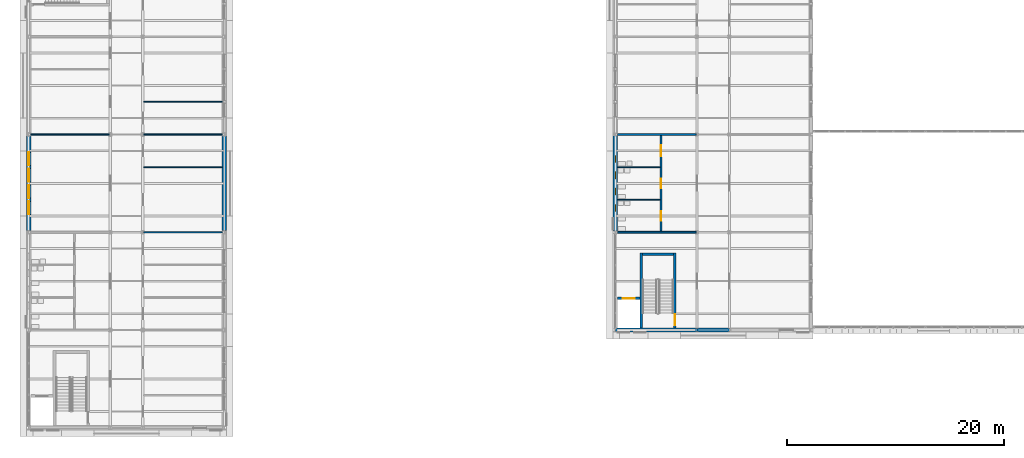
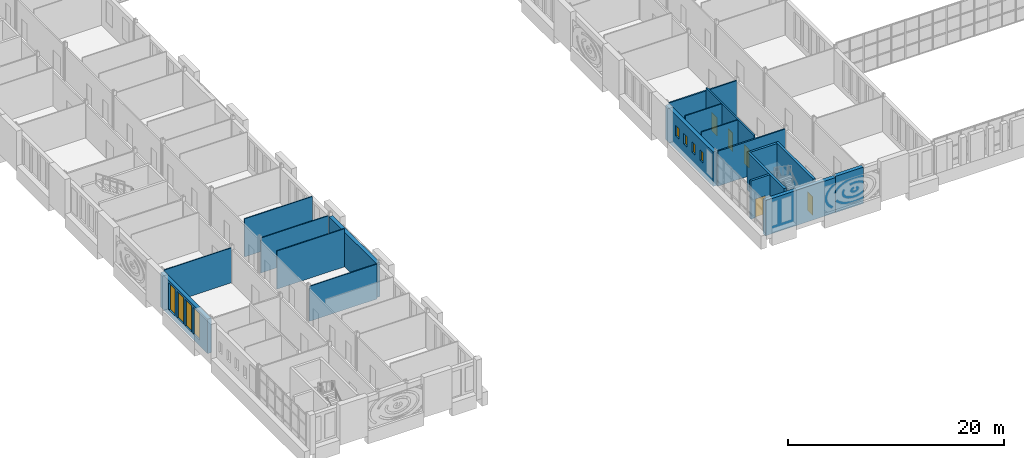
# One storey, part 72 of 131: 19 walls, 8 windows, 5 doors, 13 openings.
"""IFC4 building model written with IfcOpenShell, lengths in metres."""

from ifc_helpers import new_model, si_unit, direction, frame, frame_2d, origin, place, context, subcontext, project, spatial, rectangle, extrude, material, layer, layer_set, type_object, element, fill, save


model = new_model("IFC4")

# Units and contexts
model_context = context("Model", 3, precision=1e-05, world=origin(), true_north=direction((0.0, 1.0)))
body_context = subcontext(model_context, "Body", "Model", "MODEL_VIEW")
ifc_project = project(units=[si_unit("LENGTHUNIT", "METRE"), si_unit("AREAUNIT", "SQUARE_METRE"), si_unit("VOLUMEUNIT", "CUBIC_METRE"), si_unit("PLANEANGLEUNIT", "RADIAN"), si_unit("MASSUNIT", "GRAM", prefix="KILO")], contexts=[model_context])

# Site, building, storey
site_placement = place(None, origin())
site = spatial("IfcSite", under=ifc_project, at=site_placement, CompositionType="ELEMENT")
building_placement = place(site_placement, origin())
building = spatial("IfcBuilding", under=site, at=building_placement, Name="Golden Quay Civic Hall", CompositionType="ELEMENT")
storey_placement = place(building_placement, frame((0.0, 0.0, 9.89990234375)))
storey = spatial("IfcBuildingStorey", under=building, at=storey_placement, Name="L02", CompositionType="ELEMENT", Elevation=9.89990234375)

# Wall
ifc_material_1 = material(Name="Concrete C40/50", Category="concrete")
ifc_layer_1 = layer(ifc_material_1, 0.25)
ifc_layer_set_1 = layer_set([ifc_layer_1], Name="Concrete core wall 250, Concrete C40/50")
wall_type_1 = type_object("IfcWallType", Name="Concrete core wall 250", PredefinedType="SHEAR", material=ifc_layer_set_1)
wall_1_placement = place(storey_placement, frame((56.375, 0.199951171875, 0.0), z_axis=(0.0, 0.0, 1.0), x_axis=(0.0, 1.0, 0.0)))
element("IfcWall", 1, at=wall_1_placement, inside=storey, type_object=wall_type_1, Name="Core wall WM-S-W1", PredefinedType="SHEAR", context=body_context, shape_type="SweptSolid", body=[
    extrude(rectangle(XDim=6.900146484375, YDim=0.25, at=frame_2d((3.4501953125, 0.0))), origin(), (0.0, 0.0, 1.0), 4.300048828125),
])

# Wall, opening, door
wall_2_placement = place(storey_placement, frame((59.47509765625, 0.199951171875, 0.0), z_axis=(0.0, 0.0, 1.0), x_axis=(0.0, 1.0, 0.0)))
wall_2 = element("IfcWall", 2, at=wall_2_placement, inside=storey, type_object=wall_type_1, Name="Core wall WM-S-W2", PredefinedType="SHEAR", context=body_context, shape_type="SweptSolid", body=[
    extrude(rectangle(XDim=6.900146484375, YDim=0.25, at=frame_2d((3.4501953125, 0.0))), origin(), (0.0, 0.0, 1.0), 4.300048828125),
])
opening_1_placement = place(wall_2_placement, frame((0.25, 0.0, 0.0)))
opening_1 = element("IfcOpeningElement", 3, at=opening_1_placement, cuts=wall_2, Name="Opening L02-D101", PredefinedType="OPENING", context=body_context, shape_type="SweptSolid", body=[
    extrude(rectangle(XDim=1.0, YDim=2.10009765625, at=frame_2d((0.5, 1.050048828125))), frame((0.0, 0.135009765625, 0.0), z_axis=(0.0, -1.0, 0.0), x_axis=(1.0, 0.0, 0.0)), (0.0, 0.0, 1.0), 0.27001953125),
])
ifc_material_2 = material(Name="Steel", Category="steel")
door_type_1 = type_object("IfcDoorType", Name="Steel fire door FD60 1000 x 2100", OperationType="SINGLE_SWING_LEFT", PredefinedType="DOOR", material=ifc_material_2)
door_1_placement = place(opening_1_placement, origin())
door_1 = element("IfcDoor", 4, at=door_1_placement, inside=storey, type_object=door_type_1, Name="Door L02-D101", OperationType="SINGLE_SWING_LEFT", OverallHeight=2.10009765625, OverallWidth=1.0, PredefinedType="DOOR", context=body_context, shape_type="SweptSolid", body=[
    extrude(rectangle(XDim=1.0, YDim=2.10009765625, at=frame_2d((0.5, 1.050048828125))), frame((0.0, 0.02490234375, 0.0), z_axis=(0.0, -1.0, 0.0), x_axis=(1.0, 0.0, 0.0)), (0.0, 0.0, 1.0), 0.050048828125),
])
fill(opening_1, door_1)

# Wall
wall_3_placement = place(storey_placement, frame((56.5, 6.97509765625, 0.0), z_axis=(0.0, 0.0, 1.0), x_axis=(1.0, 0.0, 0.0)))
element("IfcWall", 5, at=wall_3_placement, inside=storey, type_object=wall_type_1, Name="Core wall WM-S-W3", PredefinedType="SHEAR", context=body_context, shape_type="SweptSolid", body=[
    extrude(rectangle(XDim=2.85009765625, YDim=0.25, at=frame_2d((1.425048828125, 0.0))), origin(), (0.0, 0.0, 1.0), 4.300048828125),
])

# Wall, opening, door
wall_4_placement = place(storey_placement, frame((54.199951171875, 2.925048828125, 0.0), z_axis=(0.0, 0.0, 1.0), x_axis=(1.0, 0.0, 0.0)))
wall_4 = element("IfcWall", 6, at=wall_4_placement, inside=storey, type_object=wall_type_1, Name="Core wall WM-S-W4", PredefinedType="SHEAR", context=body_context, shape_type="SweptSolid", body=[
    extrude(rectangle(XDim=2.050048828125, YDim=0.25, at=frame_2d((1.02490234375, 0.0))), origin(), (0.0, 0.0, 1.0), 4.300048828125),
])
opening_2_placement = place(wall_4_placement, frame((0.47509765625, 0.0, 0.0)))
opening_2 = element("IfcOpeningElement", 7, at=opening_2_placement, cuts=wall_4, Name="Opening L02-D105", PredefinedType="OPENING", context=body_context, shape_type="SweptSolid", body=[
    extrude(rectangle(XDim=1.10009765625, YDim=2.10009765625, at=frame_2d((0.550048828125, 1.050048828125))), frame((0.0, 0.135009765625, 0.0), z_axis=(0.0, -1.0, 0.0), x_axis=(1.0, 0.0, 0.0)), (0.0, 0.0, 1.0), 0.27001953125),
])
ifc_material_3 = material(Name="Steel", Category="steel")
door_type_2 = type_object("IfcDoorType", Name="Lift landing door 1100 x 2100", OperationType="SLIDING_TO_LEFT", PredefinedType="DOOR", material=ifc_material_3)
door_2_placement = place(opening_2_placement, origin())
door_2 = element("IfcDoor", 8, at=door_2_placement, inside=storey, type_object=door_type_2, Name="Lift landing door L02-D105 WM-S", OperationType="SLIDING_TO_LEFT", OverallHeight=2.10009765625, OverallWidth=1.10009765625, PredefinedType="DOOR", context=body_context, shape_type="SweptSolid", body=[
    extrude(rectangle(XDim=1.10009765625, YDim=2.10009765625, at=frame_2d((0.550048828125, 1.050048828125))), frame((0.0, 0.02490234375, 0.0), z_axis=(0.0, -1.0, 0.0), x_axis=(1.0, 0.0, 0.0)), (0.0, 0.0, 1.0), 0.050048828125),
])
fill(opening_2, door_2)

# Walls
ifc_material_4 = material(Name="Plasterboard on steel studs", Category="steel")
ifc_layer_2 = layer(ifc_material_4, 0.10009765625)
ifc_layer_set_2 = layer_set([ifc_layer_2], Name="Partition 100 stud")
wall_type_2 = type_object("IfcWallType", Name="Partition 100 stud", PredefinedType="PARTITIONING", material=ifc_layer_set_2)
for number, where, z_axis, x_axis, name in (
    (9, (0.199951171875, 18.0, 0.0), (0.0, 0.0, 1.0), (1.0, 0.0, 0.0), "Partition L02-001"),
    (10, (10.574951171875, 9.0, 0.0), (0.0, 0.0, 1.0), (1.0, 0.0, 0.0), "Partition L02-012"),
):
    element("IfcWall", number, at=place(storey_placement, frame(where, z_axis=z_axis, x_axis=x_axis)), inside=storey, type_object=wall_type_2, Name=name, PredefinedType="PARTITIONING", context=body_context, shape_type="SweptSolid", body=[
        extrude(rectangle(XDim=7.22509765625, YDim=0.10009765625, at=frame_2d((3.612548828125, 0.0))), origin(), (0.0, 0.0, 1.0), 3.9501953125),
    ])
wall_5_placement = place(storey_placement, frame((10.574951171875, 15.0, 0.0), z_axis=(0.0, 0.0, 1.0), x_axis=(1.0, 0.0, 0.0)))
element("IfcWall", 11, at=wall_5_placement, inside=storey, type_object=wall_type_2, Name="Partition L02-013", PredefinedType="PARTITIONING", context=body_context, shape_type="SweptSolid", body=[
    extrude(rectangle(XDim=7.22509765625, YDim=0.10009765625, at=frame_2d((3.612548828125, 0.0))), origin(), (0.0, 0.0, 1.0), 4.300048828125),
])
wall_6_placement = place(storey_placement, frame((10.574951171875, 18.0, 0.0), z_axis=(0.0, 0.0, 1.0), x_axis=(1.0, 0.0, 0.0)))
element("IfcWall", 12, at=wall_6_placement, inside=storey, type_object=wall_type_2, Name="Partition L02-014", PredefinedType="PARTITIONING", context=body_context, shape_type="SweptSolid", body=[
    extrude(rectangle(XDim=7.22509765625, YDim=0.10009765625, at=frame_2d((3.612548828125, 0.0))), origin(), (0.0, 0.0, 1.0), 3.9501953125),
])
wall_7_placement = place(storey_placement, frame((10.574951171875, 21.0, 0.0), z_axis=(0.0, 0.0, 1.0), x_axis=(1.0, 0.0, 0.0)))
element("IfcWall", 13, at=wall_7_placement, inside=storey, type_object=wall_type_2, Name="Partition L02-015", PredefinedType="PARTITIONING", context=body_context, shape_type="SweptSolid", body=[
    extrude(rectangle(XDim=7.22509765625, YDim=0.10009765625, at=frame_2d((3.612548828125, 0.0))), origin(), (0.0, 0.0, 1.0), 4.300048828125),
])
for number, where, z_axis, x_axis, name in (
    (14, (54.199951171875, 12.0, 0.0), (0.0, 0.0, 1.0), (1.0, 0.0, 0.0), "Partition L02-016"),
    (15, (54.199951171875, 15.0, 0.0), (0.0, 0.0, 1.0), (1.0, 0.0, 0.0), "Partition L02-017"),
):
    element("IfcWall", number, at=place(storey_placement, frame(where, z_axis=z_axis, x_axis=x_axis)), inside=storey, type_object=wall_type_2, Name=name, PredefinedType="PARTITIONING", context=body_context, shape_type="SweptSolid", body=[
        extrude(rectangle(XDim=3.925048828125, YDim=0.10009765625, at=frame_2d((1.96240234375, 0.0))), origin(), (0.0, 0.0, 1.0), 4.300048828125),
    ])
ifc_material_5 = material(Name="Plasterboard on steel studs", Category="steel")
ifc_layer_3 = layer(ifc_material_5, 0.14990234375)
ifc_layer_set_3 = layer_set([ifc_layer_3], Name="Partition 150 stud fire EI 60")
wall_type_3 = type_object("IfcWallType", Name="Partition 150 stud fire EI 60", PredefinedType="PARTITIONING", material=ifc_layer_set_3)
for number, where, z_axis, x_axis, name in (
    (16, (54.199951171875, 18.0, 0.0), (0.0, 0.0, 1.0), (1.0, 0.0, 0.0), "Partition L02-000"),
    (17, (54.199951171875, 9.0, 0.0), (0.0, 0.0, 1.0), (1.0, 0.0, 0.0), "Partition L02-012"),
):
    element("IfcWall", number, at=place(storey_placement, frame(where, z_axis=z_axis, x_axis=x_axis)), inside=storey, type_object=wall_type_3, Name=name, PredefinedType="PARTITIONING", context=body_context, shape_type="SweptSolid", body=[
        extrude(rectangle(XDim=7.22509765625, YDim=0.14990234375, at=frame_2d((3.612548828125, 0.0))), origin(), (0.0, 0.0, 1.0), 3.9501953125),
    ])

# Wall, openings, doors
wall_8_placement = place(storey_placement, frame((58.199951171875, 9.074951171875, 0.0), z_axis=(0.0, 0.0, 1.0), x_axis=(0.0, 1.0, 0.0)))
wall_8 = element("IfcWall", 18, at=wall_8_placement, inside=storey, type_object=wall_type_3, Name="Partition L02-015", PredefinedType="PARTITIONING", context=body_context, shape_type="SweptSolid", body=[
    extrude(rectangle(XDim=8.85009765625, YDim=0.14990234375, at=frame_2d((4.425048828125, 0.0))), origin(), (0.0, 0.0, 1.0), 4.300048828125),
])
opening_3_placement = place(wall_8_placement, frame((0.97509765625, 0.0, 0.0)))
opening_3 = element("IfcOpeningElement", 19, at=opening_3_placement, cuts=wall_8, Name="Opening L02-D098", PredefinedType="OPENING", context=body_context, shape_type="SweptSolid", body=[
    extrude(rectangle(XDim=0.89990234375, YDim=2.10009765625, at=frame_2d((0.449951171875, 1.050048828125))), frame((0.0, 0.0849609375, 0.0), z_axis=(0.0, -1.0, 0.0), x_axis=(1.0, 0.0, 0.0)), (0.0, 0.0, 1.0), 0.169921875),
])
opening_4_placement = place(wall_8_placement, frame((3.97509765625, 0.0, 0.0)))
opening_4 = element("IfcOpeningElement", 20, at=opening_4_placement, cuts=wall_8, Name="Opening L02-D099", PredefinedType="OPENING", context=body_context, shape_type="SweptSolid", body=[
    extrude(rectangle(XDim=0.89990234375, YDim=2.10009765625, at=frame_2d((0.449951171875, 1.050048828125))), frame((0.0, 0.0849609375, 0.0), z_axis=(0.0, -1.0, 0.0), x_axis=(1.0, 0.0, 0.0)), (0.0, 0.0, 1.0), 0.169921875),
])
opening_5_placement = place(wall_8_placement, frame((6.925048828125, 0.0, 0.0)))
opening_5 = element("IfcOpeningElement", 21, at=opening_5_placement, cuts=wall_8, Name="Opening L02-D100", PredefinedType="OPENING", context=body_context, shape_type="SweptSolid", body=[
    extrude(rectangle(XDim=1.0, YDim=2.10009765625, at=frame_2d((0.5, 1.050048828125))), frame((0.0, 0.0849609375, 0.0), z_axis=(0.0, -1.0, 0.0), x_axis=(1.0, 0.0, 0.0)), (0.0, 0.0, 1.0), 0.169921875),
])
ifc_material_6 = material(Name="Timber", Category="wood")
door_type_3 = type_object("IfcDoorType", Name="Timber door 1000 x 2100", OperationType="SINGLE_SWING_LEFT", PredefinedType="DOOR", material=ifc_material_6)
door_3_placement = place(opening_5_placement, origin())
door_3 = element("IfcDoor", 22, at=door_3_placement, inside=storey, type_object=door_type_3, Name="Door L02-D100", OperationType="SINGLE_SWING_LEFT", OverallHeight=2.10009765625, OverallWidth=1.0, PredefinedType="DOOR", context=body_context, shape_type="SweptSolid", body=[
    extrude(rectangle(XDim=1.0, YDim=2.10009765625, at=frame_2d((0.5, 1.050048828125))), frame((0.0, 0.02490234375, 0.0), z_axis=(0.0, -1.0, 0.0), x_axis=(1.0, 0.0, 0.0)), (0.0, 0.0, 1.0), 0.050048828125),
])
fill(opening_5, door_3)
ifc_material_7 = material(Name="Timber", Category="wood")
door_type_4 = type_object("IfcDoorType", Name="Timber door 900 x 2100", OperationType="SINGLE_SWING_LEFT", PredefinedType="DOOR", material=ifc_material_7)
door_4_placement = place(opening_3_placement, origin())
door_4 = element("IfcDoor", 23, at=door_4_placement, inside=storey, type_object=door_type_4, Name="Door L02-D098", OperationType="SINGLE_SWING_LEFT", OverallHeight=2.10009765625, OverallWidth=0.89990234375, PredefinedType="DOOR", context=body_context, shape_type="SweptSolid", body=[
    extrude(rectangle(XDim=0.89990234375, YDim=2.10009765625, at=frame_2d((0.449951171875, 1.050048828125))), frame((0.0, 0.02490234375, 0.0), z_axis=(0.0, -1.0, 0.0), x_axis=(1.0, 0.0, 0.0)), (0.0, 0.0, 1.0), 0.050048828125),
])
fill(opening_3, door_4)
door_5_placement = place(opening_4_placement, origin())
door_5 = element("IfcDoor", 24, at=door_5_placement, inside=storey, type_object=door_type_4, Name="Door L02-D099", OperationType="SINGLE_SWING_LEFT", OverallHeight=2.10009765625, OverallWidth=0.89990234375, PredefinedType="DOOR", context=body_context, shape_type="SweptSolid", body=[
    extrude(rectangle(XDim=0.89990234375, YDim=2.10009765625, at=frame_2d((0.449951171875, 1.050048828125))), frame((0.0, 0.02490234375, 0.0), z_axis=(0.0, -1.0, 0.0), x_axis=(1.0, 0.0, 0.0)), (0.0, 0.0, 1.0), 0.050048828125),
])
fill(opening_4, door_5)

# Wall, openings, windows
ifc_material_8 = material(Name="Clay block, rendered, cream")
ifc_layer_4 = layer(ifc_material_8, 0.39990234375)
ifc_layer_set_4 = layer_set([ifc_layer_4], Name="Rendered block external wall 400")
wall_type_4 = type_object("IfcWallType", Name="Rendered block external wall 400", PredefinedType="STANDARD", material=ifc_layer_set_4)
wall_9_placement = place(storey_placement, frame((0.0, 9.14501953125, 0.0), z_axis=(0.0, 0.0, 1.0), x_axis=(0.0, 1.0, 0.0)))
wall_9 = element("IfcWall", 25, at=wall_9_placement, inside=storey, type_object=wall_type_4, Name="Rendered block external wall 400 L02 2", PredefinedType="STANDARD", context=body_context, shape_type="SweptSolid", body=[
    extrude(rectangle(XDim=8.7099609375, YDim=0.39990234375, at=frame_2d((4.35498046875, 0.0))), origin(), (0.0, 0.0, 1.0), 3.900146484375),
])
opening_6_placement = place(wall_9_placement, frame((1.5048828125, 0.0, 0.60009765625)))
opening_6 = element("IfcOpeningElement", 26, at=opening_6_placement, cuts=wall_9, Name="Opening WN5", PredefinedType="OPENING", context=body_context, shape_type="SweptSolid", body=[
    extrude(rectangle(XDim=1.199951171875, YDim=3.0, at=frame_2d((0.60009765625, 1.5))), frame((0.0, 0.2099609375, 0.0), z_axis=(0.0, -1.0, 0.0), x_axis=(1.0, 0.0, 0.0)), (0.0, 0.0, 1.0), 0.419921875),
])
opening_7_placement = place(wall_9_placement, frame((3.0048828125, 0.0, 0.60009765625)))
opening_7 = element("IfcOpeningElement", 27, at=opening_7_placement, cuts=wall_9, Name="Opening WN5", PredefinedType="OPENING", context=body_context, shape_type="SweptSolid", body=[
    extrude(rectangle(XDim=1.199951171875, YDim=3.0, at=frame_2d((0.60009765625, 1.5))), frame((0.0, 0.2099609375, 0.0), z_axis=(0.0, -1.0, 0.0), x_axis=(1.0, 0.0, 0.0)), (0.0, 0.0, 1.0), 0.419921875),
])
opening_8_placement = place(wall_9_placement, frame((4.5048828125, 0.0, 0.60009765625)))
opening_8 = element("IfcOpeningElement", 28, at=opening_8_placement, cuts=wall_9, Name="Opening WN5", PredefinedType="OPENING", context=body_context, shape_type="SweptSolid", body=[
    extrude(rectangle(XDim=1.199951171875, YDim=3.0, at=frame_2d((0.60009765625, 1.5))), frame((0.0, 0.2099609375, 0.0), z_axis=(0.0, -1.0, 0.0), x_axis=(1.0, 0.0, 0.0)), (0.0, 0.0, 1.0), 0.419921875),
])
opening_9_placement = place(wall_9_placement, frame((6.0048828125, 0.0, 0.60009765625)))
opening_9 = element("IfcOpeningElement", 29, at=opening_9_placement, cuts=wall_9, Name="Opening WN5", PredefinedType="OPENING", context=body_context, shape_type="SweptSolid", body=[
    extrude(rectangle(XDim=1.199951171875, YDim=3.0, at=frame_2d((0.60009765625, 1.5))), frame((0.0, 0.2099609375, 0.0), z_axis=(0.0, -1.0, 0.0), x_axis=(1.0, 0.0, 0.0)), (0.0, 0.0, 1.0), 0.419921875),
])
ifc_material_9 = material(Name="Aluminium frame, double glazed", Category="aluminium")
window_type_1 = type_object("IfcWindowType", Name="Golden grid window 1200 x 3000", PartitioningType="SINGLE_PANEL", PredefinedType="WINDOW", material=ifc_material_9)
window_1_placement = place(opening_6_placement, origin())
window_1 = element("IfcWindow", 30, at=window_1_placement, inside=storey, type_object=window_type_1, Name="Golden grid window 1200 x 3000 L02 1", OverallHeight=3.0, OverallWidth=1.199951171875, PartitioningType="SINGLE_PANEL", PredefinedType="WINDOW", context=body_context, shape_type="SweptSolid", body=[
    extrude(rectangle(XDim=1.199951171875, YDim=3.0, at=frame_2d((0.60009765625, 1.5))), frame((0.0, 0.030029296875, 0.0), z_axis=(0.0, -1.0, 0.0), x_axis=(1.0, 0.0, 0.0)), (0.0, 0.0, 1.0), 0.06005859375),
])
fill(opening_6, window_1)
window_2_placement = place(opening_7_placement, origin())
window_2 = element("IfcWindow", 31, at=window_2_placement, inside=storey, type_object=window_type_1, Name="Golden grid window 1200 x 3000 L02 2", OverallHeight=3.0, OverallWidth=1.199951171875, PartitioningType="SINGLE_PANEL", PredefinedType="WINDOW", context=body_context, shape_type="SweptSolid", body=[
    extrude(rectangle(XDim=1.199951171875, YDim=3.0, at=frame_2d((0.60009765625, 1.5))), frame((0.0, 0.030029296875, 0.0), z_axis=(0.0, -1.0, 0.0), x_axis=(1.0, 0.0, 0.0)), (0.0, 0.0, 1.0), 0.06005859375),
])
fill(opening_7, window_2)
window_3_placement = place(opening_8_placement, origin())
window_3 = element("IfcWindow", 32, at=window_3_placement, inside=storey, type_object=window_type_1, Name="Golden grid window 1200 x 3000 L02 3", OverallHeight=3.0, OverallWidth=1.199951171875, PartitioningType="SINGLE_PANEL", PredefinedType="WINDOW", context=body_context, shape_type="SweptSolid", body=[
    extrude(rectangle(XDim=1.199951171875, YDim=3.0, at=frame_2d((0.60009765625, 1.5))), frame((0.0, 0.030029296875, 0.0), z_axis=(0.0, -1.0, 0.0), x_axis=(1.0, 0.0, 0.0)), (0.0, 0.0, 1.0), 0.06005859375),
])
fill(opening_8, window_3)
window_4_placement = place(opening_9_placement, origin())
window_4 = element("IfcWindow", 33, at=window_4_placement, inside=storey, type_object=window_type_1, Name="Golden grid window 1200 x 3000 L02 4", OverallHeight=3.0, OverallWidth=1.199951171875, PartitioningType="SINGLE_PANEL", PredefinedType="WINDOW", context=body_context, shape_type="SweptSolid", body=[
    extrude(rectangle(XDim=1.199951171875, YDim=3.0, at=frame_2d((0.60009765625, 1.5))), frame((0.0, 0.030029296875, 0.0), z_axis=(0.0, -1.0, 0.0), x_axis=(1.0, 0.0, 0.0)), (0.0, 0.0, 1.0), 0.06005859375),
])
fill(opening_9, window_4)

# Wall
wall_10_placement = place(storey_placement, frame((18.0, 17.85498046875, 0.0), z_axis=(0.0, 0.0, 1.0), x_axis=(0.0, -1.0, 0.0)))
element("IfcWall", 34, at=wall_10_placement, inside=storey, type_object=wall_type_4, Name="Rendered block external wall 400 L02 14", PredefinedType="STANDARD", context=body_context, shape_type="SweptSolid", body=[
    extrude(rectangle(XDim=8.7099609375, YDim=0.39990234375, at=frame_2d((4.35498046875, 0.0))), origin(), (0.0, 0.0, 1.0), 3.900146484375),
])

# Wall, openings, windows
wall_11_placement = place(storey_placement, frame((54.0, 9.114990234375, 0.0), z_axis=(0.0, 0.0, 1.0), x_axis=(0.0, 1.0, 0.0)))
wall_11 = element("IfcWall", 35, at=wall_11_placement, inside=storey, type_object=wall_type_4, Name="Rendered block external wall 400 L02 21", PredefinedType="STANDARD", context=body_context, shape_type="SweptSolid", body=[
    extrude(rectangle(XDim=8.77001953125, YDim=0.39990234375, at=frame_2d((4.385009765625, 0.0))), origin(), (0.0, 0.0, 1.0), 3.900146484375),
])
opening_10_placement = place(wall_11_placement, frame((1.8349609375, 0.0, 1.5)))
opening_10 = element("IfcOpeningElement", 36, at=opening_10_placement, cuts=wall_11, Name="Opening WN1", PredefinedType="OPENING", context=body_context, shape_type="SweptSolid", body=[
    extrude(rectangle(XDim=0.60009765625, YDim=1.199951171875, at=frame_2d((0.300048828125, 0.60009765625))), frame((0.0, 0.2099609375, 0.0), z_axis=(0.0, -1.0, 0.0), x_axis=(1.0, 0.0, 0.0)), (0.0, 0.0, 1.0), 0.419921875),
])
opening_11_placement = place(wall_11_placement, frame((3.3349609375, 0.0, 1.5)))
opening_11 = element("IfcOpeningElement", 37, at=opening_11_placement, cuts=wall_11, Name="Opening WN1", PredefinedType="OPENING", context=body_context, shape_type="SweptSolid", body=[
    extrude(rectangle(XDim=0.60009765625, YDim=1.199951171875, at=frame_2d((0.300048828125, 0.60009765625))), frame((0.0, 0.2099609375, 0.0), z_axis=(0.0, -1.0, 0.0), x_axis=(1.0, 0.0, 0.0)), (0.0, 0.0, 1.0), 0.419921875),
])
opening_12_placement = place(wall_11_placement, frame((4.8349609375, 0.0, 1.5)))
opening_12 = element("IfcOpeningElement", 38, at=opening_12_placement, cuts=wall_11, Name="Opening WN1", PredefinedType="OPENING", context=body_context, shape_type="SweptSolid", body=[
    extrude(rectangle(XDim=0.60009765625, YDim=1.199951171875, at=frame_2d((0.300048828125, 0.60009765625))), frame((0.0, 0.2099609375, 0.0), z_axis=(0.0, -1.0, 0.0), x_axis=(1.0, 0.0, 0.0)), (0.0, 0.0, 1.0), 0.419921875),
])
opening_13_placement = place(wall_11_placement, frame((6.3349609375, 0.0, 1.5)))
opening_13 = element("IfcOpeningElement", 39, at=opening_13_placement, cuts=wall_11, Name="Opening WN1", PredefinedType="OPENING", context=body_context, shape_type="SweptSolid", body=[
    extrude(rectangle(XDim=0.60009765625, YDim=1.199951171875, at=frame_2d((0.300048828125, 0.60009765625))), frame((0.0, 0.2099609375, 0.0), z_axis=(0.0, -1.0, 0.0), x_axis=(1.0, 0.0, 0.0)), (0.0, 0.0, 1.0), 0.419921875),
])
ifc_material_10 = material(Name="Aluminium frame, double glazed", Category="aluminium")
window_type_2 = type_object("IfcWindowType", Name="WC window 600 x 1200", PartitioningType="SINGLE_PANEL", PredefinedType="WINDOW", material=ifc_material_10)
window_5_placement = place(opening_10_placement, origin())
window_5 = element("IfcWindow", 40, at=window_5_placement, inside=storey, type_object=window_type_2, Name="WC window 600 x 1200 L02 8", OverallHeight=1.199951171875, OverallWidth=0.60009765625, PartitioningType="SINGLE_PANEL", PredefinedType="WINDOW", context=body_context, shape_type="SweptSolid", body=[
    extrude(rectangle(XDim=0.60009765625, YDim=1.199951171875, at=frame_2d((0.300048828125, 0.60009765625))), frame((0.0, 0.030029296875, 0.0), z_axis=(0.0, -1.0, 0.0), x_axis=(1.0, 0.0, 0.0)), (0.0, 0.0, 1.0), 0.06005859375),
])
fill(opening_10, window_5)
window_6_placement = place(opening_11_placement, origin())
window_6 = element("IfcWindow", 41, at=window_6_placement, inside=storey, type_object=window_type_2, Name="WC window 600 x 1200 L02 9", OverallHeight=1.199951171875, OverallWidth=0.60009765625, PartitioningType="SINGLE_PANEL", PredefinedType="WINDOW", context=body_context, shape_type="SweptSolid", body=[
    extrude(rectangle(XDim=0.60009765625, YDim=1.199951171875, at=frame_2d((0.300048828125, 0.60009765625))), frame((0.0, 0.030029296875, 0.0), z_axis=(0.0, -1.0, 0.0), x_axis=(1.0, 0.0, 0.0)), (0.0, 0.0, 1.0), 0.06005859375),
])
fill(opening_11, window_6)
window_7_placement = place(opening_12_placement, origin())
window_7 = element("IfcWindow", 42, at=window_7_placement, inside=storey, type_object=window_type_2, Name="WC window 600 x 1200 L02 10", OverallHeight=1.199951171875, OverallWidth=0.60009765625, PartitioningType="SINGLE_PANEL", PredefinedType="WINDOW", context=body_context, shape_type="SweptSolid", body=[
    extrude(rectangle(XDim=0.60009765625, YDim=1.199951171875, at=frame_2d((0.300048828125, 0.60009765625))), frame((0.0, 0.030029296875, 0.0), z_axis=(0.0, -1.0, 0.0), x_axis=(1.0, 0.0, 0.0)), (0.0, 0.0, 1.0), 0.06005859375),
])
fill(opening_12, window_7)
window_8_placement = place(opening_13_placement, origin())
window_8 = element("IfcWindow", 43, at=window_8_placement, inside=storey, type_object=window_type_2, Name="WC window 600 x 1200 L02 11", OverallHeight=1.199951171875, OverallWidth=0.60009765625, PartitioningType="SINGLE_PANEL", PredefinedType="WINDOW", context=body_context, shape_type="SweptSolid", body=[
    extrude(rectangle(XDim=0.60009765625, YDim=1.199951171875, at=frame_2d((0.300048828125, 0.60009765625))), frame((0.0, 0.030029296875, 0.0), z_axis=(0.0, -1.0, 0.0), x_axis=(1.0, 0.0, 0.0)), (0.0, 0.0, 1.0), 0.06005859375),
])
fill(opening_13, window_8)

# Walls
wall_12_placement = place(storey_placement, frame((64.4912109375, 0.0, 0.0), z_axis=(0.0, 0.0, 1.0), x_axis=(-1.0, 0.0, 0.0)))
element("IfcWall", 44, at=wall_12_placement, inside=storey, type_object=wall_type_4, Name="Rendered block external wall 400 L02 33", PredefinedType="STANDARD", context=body_context, shape_type="SweptSolid", body=[
    extrude(rectangle(XDim=2.982421875, YDim=0.39990234375, at=frame_2d((1.4912109375, 0.0))), origin(), (0.0, 0.0, 1.0), 4.10009765625),
])
ifc_material_11 = material(Name="Clay block, rendered, cream")
ifc_layer_5 = layer(ifc_material_11, 0.39990234375)
ifc_layer_set_5 = layer_set([ifc_layer_5], Name="Rendered block external wall 400 fire EI 60")
wall_type_5 = type_object("IfcWallType", Name="Rendered block external wall 400 fire EI 60", PredefinedType="STANDARD", material=ifc_layer_set_5)
wall_13_placement = place(storey_placement, frame((61.4912109375, 0.0, 0.0), z_axis=(0.0, 0.0, 1.0), x_axis=(-1.0, 0.0, 0.0)))
element("IfcWall", 45, at=wall_13_placement, inside=storey, type_object=wall_type_5, Name="Rendered block external wall 400 fire EI 60 L02 6", PredefinedType="STANDARD", context=body_context, shape_type="SweptSolid", body=[
    extrude(rectangle(XDim=7.482421875, YDim=0.39990234375, at=frame_2d((3.7412109375, 0.0))), origin(), (0.0, 0.0, 1.0), 3.97021484375),
])

save(model, "model.ifc")
